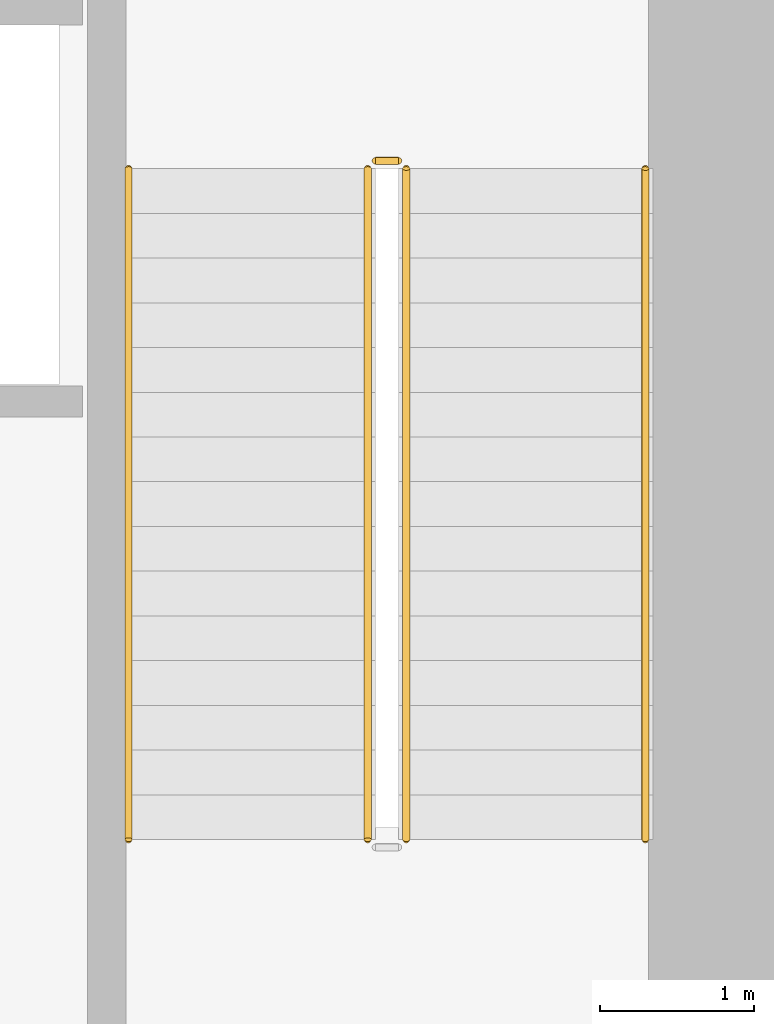
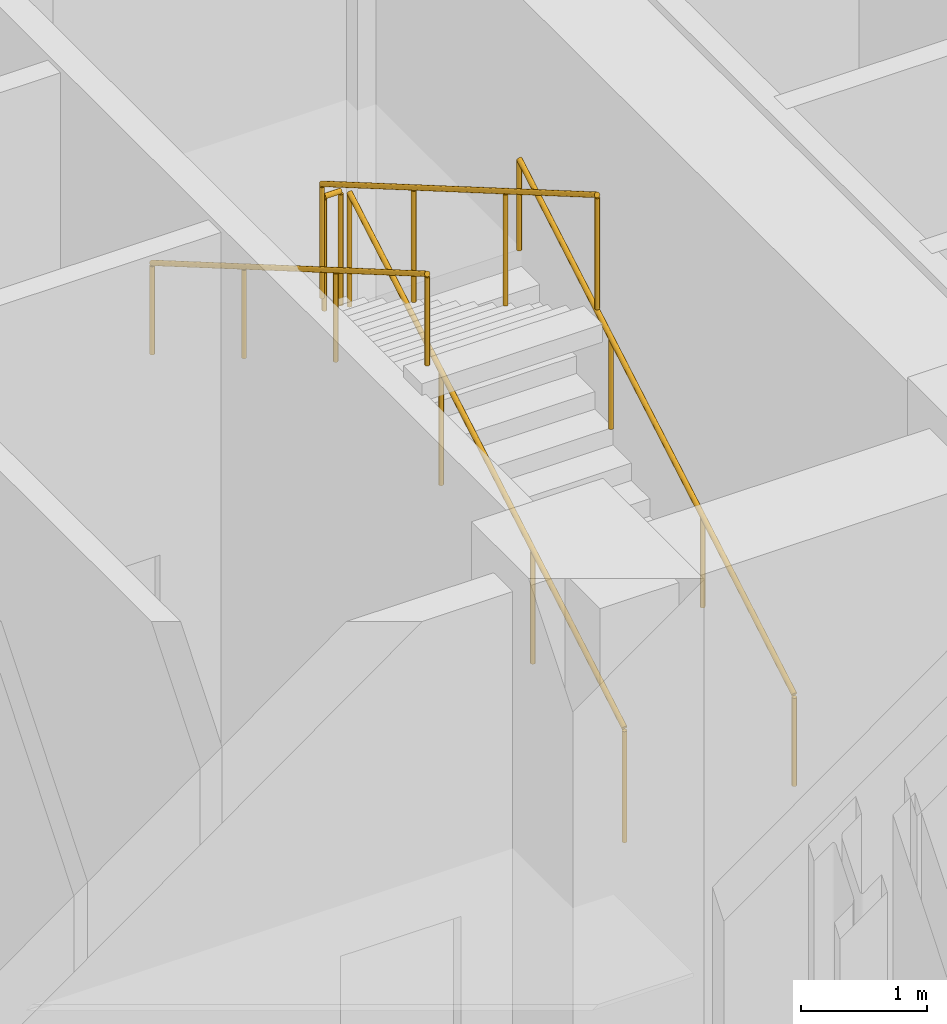
# One storey, part 24 of 26: 5 railings.
"""IFC4 building model written with IfcOpenShell, lengths in metres."""

from ifc_helpers import new_model, si_unit, direction, frame, origin, origin_2d, place, context, subcontext, project, spatial, circle, extrude, material, type_object, element, save


model = new_model("IFC4")

# Units and contexts
model_context = context("Model", 3, precision=1e-05, world=origin(), true_north=direction((0.0, 1.0)))
body_context = subcontext(model_context, "Body", "Model", "MODEL_VIEW")
ifc_project = project(units=[si_unit("LENGTHUNIT", "METRE"), si_unit("AREAUNIT", "SQUARE_METRE"), si_unit("VOLUMEUNIT", "CUBIC_METRE"), si_unit("PLANEANGLEUNIT", "RADIAN"), si_unit("MASSUNIT", "GRAM", prefix="KILO")], contexts=[model_context])

# Site, building, storey
site_placement = place(None, origin())
site = spatial("IfcSite", under=ifc_project, at=site_placement, CompositionType="ELEMENT")
building_placement = place(site_placement, origin())
building = spatial("IfcBuilding", under=site, at=building_placement, Name="Varnelok Gate Tower", CompositionType="ELEMENT")
storey_placement = place(building_placement, origin())
storey = spatial("IfcBuildingStorey", under=building, at=storey_placement, Name="L00", CompositionType="ELEMENT", Elevation=0.0)

# Railings
ifc_material_1 = material(Name="Brushed Stainless Steel AISI 316", Category="steel")
railing_type_1 = type_object("IfcRailingType", Name="RL-HANDRAIL-900", PredefinedType="HANDRAIL", material=ifc_material_1)
railing_1_placement = place(storey_placement, frame((47.25, 31.60009765625, 0.168701171875)))
element("IfcRailing", 1, at=railing_1_placement, inside=storey, type_object=railing_type_1, Name="L00 ST-2 stair handrail 1", PredefinedType="HANDRAIL", context=body_context, shape_type="SweptSolid", body=[
    extrude(circle(Radius=0.02392578125, at=origin_2d()), frame((0.0, 0.0, 0.8759765625), z_axis=(0.0, 0.864311530196, 0.502956835891), x_axis=(-1.0, 0.0, 0.0)), (0.0, 0.0, 1.0), 5.03271484375),
    extrude(circle(Radius=0.02099609375, at=origin_2d()), origin(), (0.0, 0.0, 1.0), 0.851806640625),
    extrude(circle(Radius=0.02099609375, at=origin_2d()), frame((0.0, 1.449951171875, 0.84375)), (0.0, 0.0, 1.0), 0.851806640625),
    extrude(circle(Radius=0.02099609375, at=origin_2d()), frame((0.0, 2.89990234375, 1.6875)), (0.0, 0.0, 1.0), 0.851806640625),
    extrude(circle(Radius=0.02099609375, at=origin_2d()), frame((0.0, 4.349853515625, 2.53125)), (0.0, 0.0, 1.0), 0.851806640625),
])
railing_2_placement = place(storey_placement, frame((43.89990234375, 35.949951171875, 2.86865234375)))
element("IfcRailing", 2, at=railing_2_placement, inside=storey, type_object=railing_type_1, Name="L00 ST-2 stair handrail 2", PredefinedType="HANDRAIL", context=body_context, shape_type="SweptSolid", body=[
    extrude(circle(Radius=0.02392578125, at=origin_2d()), frame((0.0, 0.0, 0.8759765625), z_axis=(0.0, -0.864311530196, 0.502956835891), x_axis=(1.0, 0.0, 0.0)), (0.0, 0.0, 1.0), 5.03271484375),
    extrude(circle(Radius=0.02099609375, at=origin_2d()), origin(), (0.0, 0.0, 1.0), 0.851806640625),
    extrude(circle(Radius=0.02099609375, at=origin_2d()), frame((0.0, -1.449951171875, 0.84375)), (0.0, 0.0, 1.0), 0.851806640625),
    extrude(circle(Radius=0.02099609375, at=origin_2d()), frame((0.0, -2.89990234375, 1.6875)), (0.0, 0.0, 1.0), 0.851806640625),
    extrude(circle(Radius=0.02099609375, at=origin_2d()), frame((0.0, -4.349853515625, 2.53125)), (0.0, 0.0, 1.0), 0.851806640625),
])
ifc_material_2 = material(Name="Galvanized Steel Grade S350GD", Category="steel")
railing_type_2 = type_object("IfcRailingType", Name="RL-STAIR-GUARD1120", PredefinedType="GUARDRAIL", material=ifc_material_2)
railing_3_placement = place(storey_placement, frame((45.699951171875, 31.60009765625, 0.168701171875)))
element("IfcRailing", 3, at=railing_3_placement, inside=storey, type_object=railing_type_2, Name="L00 ST-2 stair guard 1", PredefinedType="GUARDRAIL", context=body_context, shape_type="SweptSolid", body=[
    extrude(circle(Radius=0.02392578125, at=origin_2d()), frame((0.0, 0.0, 1.09619140625), z_axis=(0.0, 0.864311530196, 0.502956835891), x_axis=(-1.0, 0.0, 0.0)), (0.0, 0.0, 1.0), 5.03271484375),
    extrude(circle(Radius=0.02099609375, at=origin_2d()), origin(), (0.0, 0.0, 1.0), 1.072021484375),
    extrude(circle(Radius=0.02099609375, at=origin_2d()), frame((0.0, 1.449951171875, 0.84375)), (0.0, 0.0, 1.0), 1.072021484375),
    extrude(circle(Radius=0.02099609375, at=origin_2d()), frame((0.0, 2.89990234375, 1.6875)), (0.0, 0.0, 1.0), 1.072021484375),
    extrude(circle(Radius=0.02099609375, at=origin_2d()), frame((0.0, 4.349853515625, 2.53125)), (0.0, 0.0, 1.0), 1.072021484375),
])
railing_4_placement = place(storey_placement, frame((45.64990234375, 36.0, 2.699951171875)))
element("IfcRailing", 4, at=railing_4_placement, inside=storey, type_object=railing_type_2, Name="L00 ST-2 stair guard 2", PredefinedType="GUARDRAIL", context=body_context, shape_type="SweptSolid", body=[
    extrude(circle(Radius=0.02392578125, at=origin_2d()), frame((0.0, 0.0, 1.09619140625), z_axis=(-1.0, 0.0, 0.0), x_axis=(0.0, -1.0, 0.0)), (0.0, 0.0, 1.0), 0.14990234375),
    extrude(circle(Radius=0.02099609375, at=origin_2d()), origin(), (0.0, 0.0, 1.0), 1.072021484375),
    extrude(circle(Radius=0.02099609375, at=origin_2d()), frame((-0.14990234375, 0.0, 0.0)), (0.0, 0.0, 1.0), 1.072021484375),
])
railing_5_placement = place(storey_placement, frame((45.449951171875, 35.949951171875, 2.86865234375)))
element("IfcRailing", 5, at=railing_5_placement, inside=storey, type_object=railing_type_2, Name="L00 ST-2 stair guard 3", PredefinedType="GUARDRAIL", context=body_context, shape_type="SweptSolid", body=[
    extrude(circle(Radius=0.02392578125, at=origin_2d()), frame((0.0, 0.0, 1.09619140625), z_axis=(0.0, -0.864311530196, 0.502956835891), x_axis=(1.0, 0.0, 0.0)), (0.0, 0.0, 1.0), 5.03271484375),
    extrude(circle(Radius=0.02099609375, at=origin_2d()), origin(), (0.0, 0.0, 1.0), 1.072021484375),
    extrude(circle(Radius=0.02099609375, at=origin_2d()), frame((0.0, -1.449951171875, 0.84375)), (0.0, 0.0, 1.0), 1.072021484375),
    extrude(circle(Radius=0.02099609375, at=origin_2d()), frame((0.0, -2.89990234375, 1.6875)), (0.0, 0.0, 1.0), 1.072021484375),
    extrude(circle(Radius=0.02099609375, at=origin_2d()), frame((0.0, -4.349853515625, 2.53125)), (0.0, 0.0, 1.0), 1.072021484375),
])

save(model, "model.ifc")
